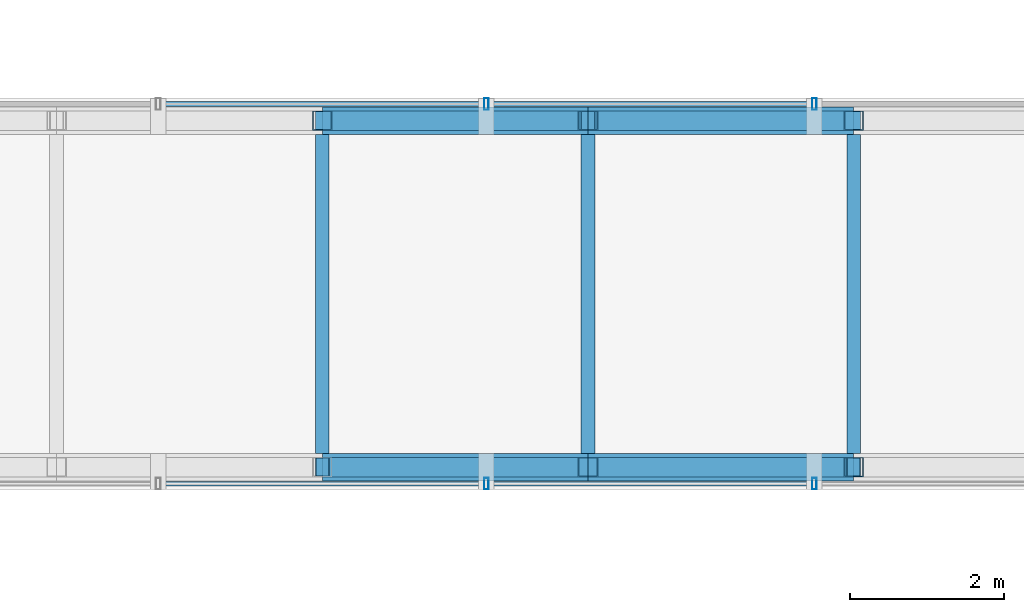
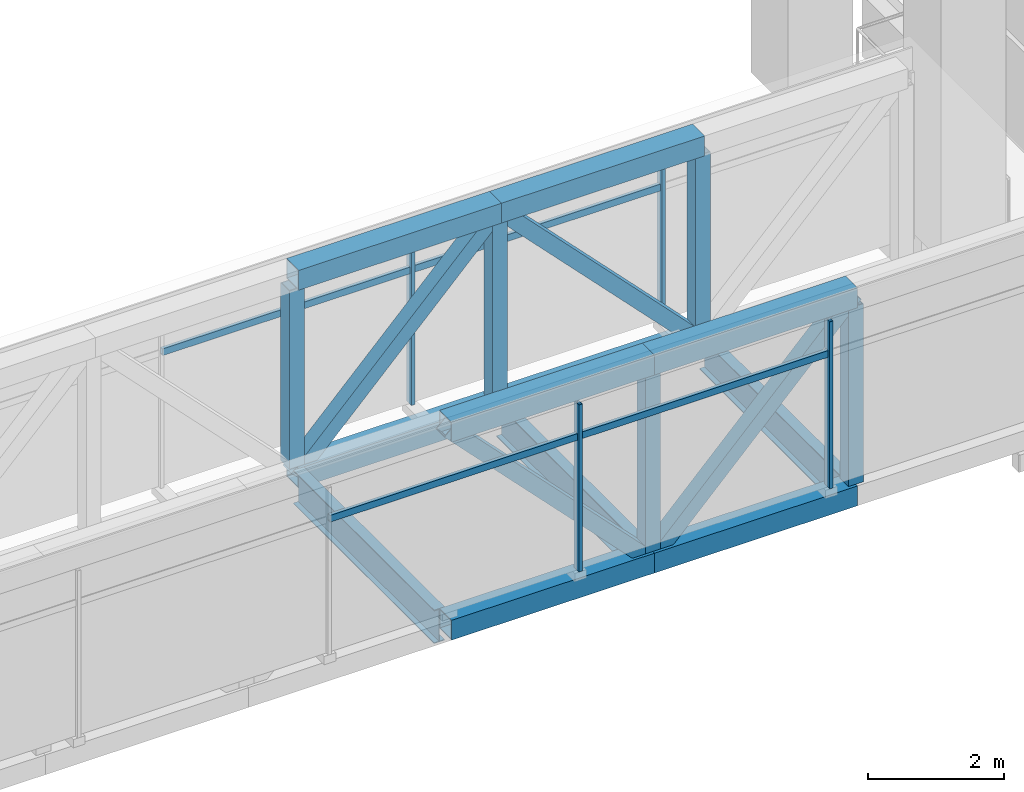
# One storey, part 16 of 44: 25 members, 3 beams, 2 elements without a shape of their own.
"""IFC4 building model written with IfcOpenShell, lengths in metres."""

from ifc_helpers import new_model, si_unit, direction, frame, origin, origin_2d, place, context, subcontext, project, spatial, hollow_rectangle, i_section, extrude, material, material_profile, profile_set, type_object, element, aggregate, save


model = new_model("IFC4")

# Units and contexts
model_context = context("Model", 3, precision=1e-05, world=origin(), true_north=direction((0.0, 1.0)))
body_context = subcontext(model_context, "Body", "Model", "MODEL_VIEW")
ifc_project = project(units=[si_unit("LENGTHUNIT", "METRE"), si_unit("AREAUNIT", "SQUARE_METRE"), si_unit("VOLUMEUNIT", "CUBIC_METRE"), si_unit("PLANEANGLEUNIT", "RADIAN"), si_unit("MASSUNIT", "GRAM", prefix="KILO")], contexts=[model_context])

# Site, building, storey
site_placement = place(None, origin())
site = spatial("IfcSite", under=ifc_project, at=site_placement, CompositionType="ELEMENT")
building_placement = place(site_placement, origin())
building = spatial("IfcBuilding", under=site, at=building_placement, Name="Altepetl Exchange Towers", CompositionType="ELEMENT")
storey_placement = place(building_placement, frame((0.0, 0.0, 87.0)))
storey = spatial("IfcBuildingStorey", under=building, at=storey_placement, Name="L21 Refuge", CompositionType="ELEMENT", Elevation=87.0)

# Members
ifc_material_1 = material(Name="Steel S355", Category="steel")
ifc_material_profile_1 = material_profile(ifc_material_1, hollow_rectangle(XDim=0.35595703125, YDim=0.35595703125, WallThickness=0.014892578125, at=origin_2d()), Name="HSS356X356X15.9")
ifc_profile_set_1 = profile_set([ifc_material_profile_1], Name="Steel S355")
member_type_1 = type_object("IfcMemberType", Name="Bridge chord HSS356X356X15.9", PredefinedType="CHORD", material=ifc_profile_set_1)
for number, where, z_axis, x_axis, name in (
    (1, (83.25, 45.0, -0.3779296875), (1.0, 0.0, 0.0), (0.0, 1.0, 0.0), "tr:X:L21:bc-s3"),
    (2, (83.25, 45.0, 3.177978515625), (1.0, 0.0, 0.0), (0.0, 1.0, 0.0), "tr:X:L21:tc-s3"),
    (3, (86.699951171875, 45.0, -0.3779296875), (1.0, 0.0, 0.0), (0.0, 1.0, 0.0), "tr:X:L21:bc-s4"),
    (4, (86.699951171875, 45.0, 3.177978515625), (1.0, 0.0, 0.0), (0.0, 1.0, 0.0), "tr:X:L21:tc-s4"),
    (5, (83.25, 49.5, -0.3779296875), (1.0, 0.0, 0.0), (0.0, 1.0, 0.0), "tr:X:L21:bc-n3"),
    (6, (83.25, 49.5, 3.177978515625), (1.0, 0.0, 0.0), (0.0, 1.0, 0.0), "tr:X:L21:tc-n3"),
    (7, (86.699951171875, 49.5, -0.3779296875), (1.0, 0.0, 0.0), (0.0, 1.0, 0.0), "tr:X:L21:bc-n4"),
    (8, (86.699951171875, 49.5, 3.177978515625), (1.0, 0.0, 0.0), (0.0, 1.0, 0.0), "tr:X:L21:tc-n4"),
):
    element("IfcMember", number, at=place(storey_placement, frame(where, z_axis=z_axis, x_axis=x_axis)), inside=storey, type_object=member_type_1, Name=name, PredefinedType="CHORD", context=body_context, shape_type="SweptSolid", body=[
        extrude(hollow_rectangle(XDim=0.35595703125, YDim=0.35595703125, WallThickness=0.014892578125, at=origin_2d()), origin(), (0.0, 0.0, 1.0), 3.449951171875),
    ])

# Beams
ifc_material_profile_2 = material_profile(ifc_material_1, i_section(OverallWidth=0.178955078125, OverallDepth=0.60302734375, WebThickness=0.010986328125, FlangeThickness=0.014892578125, at=origin_2d()), Name="W24X62")
ifc_profile_set_2 = profile_set([ifc_material_profile_2], Name="Steel S355")
beam_type = type_object("IfcBeamType", Name="Bridge deck beam W24X62", PredefinedType="BEAM", material=ifc_profile_set_2)
for number, where, z_axis, x_axis, name in (
    (9, (83.25, 45.177978515625, -0.50146484375), (0.0, 1.0, 0.0), (-1.0, 0.0, 0.0), "bm:X:L21:cb3"),
    (10, (86.699951171875, 45.177978515625, -0.50146484375), (0.0, 1.0, 0.0), (-1.0, 0.0, 0.0), "bm:X:L21:cb4"),
    (11, (90.14990234375, 45.177978515625, -0.50146484375), (0.0, 1.0, 0.0), (-1.0, 0.0, 0.0), "bm:X:L21:cb5"),
):
    element("IfcBeam", number, at=place(storey_placement, frame(where, z_axis=z_axis, x_axis=x_axis)), inside=storey, type_object=beam_type, Name=name, PredefinedType="BEAM", context=body_context, shape_type="SweptSolid", body=[
        extrude(i_section(OverallWidth=0.178955078125, OverallDepth=0.60302734375, WebThickness=0.010986328125, FlangeThickness=0.014892578125, at=origin_2d()), origin(), (0.0, 0.0, 1.0), 4.14404296875),
    ])

# Members
ifc_material_profile_3 = material_profile(ifc_material_1, hollow_rectangle(XDim=0.25390625, YDim=0.25390625, WallThickness=0.01171875, at=origin_2d()), Name="HSS254X254X12.7")
ifc_profile_set_3 = profile_set([ifc_material_profile_3], Name="Steel S355")
member_type_2 = type_object("IfcMemberType", Name="Bridge diagonal HSS254X254X12.7", PredefinedType="BRACE", material=ifc_profile_set_3)
for number, where, z_axis, x_axis, name in (
    (12, (83.25, 45.0, 3.177978515625), (0.696332822392, 0.0, -0.717719026123), (0.0, 1.0, 0.0), "tr:X:L21:dg-s3"),
    (13, (86.699951171875, 45.0, -0.3779296875), (0.696332822392, 0.0, 0.717719026123), (0.0, 1.0, 0.0), "tr:X:L21:dg-s4"),
    (14, (83.25, 49.5, -0.3779296875), (0.696332822392, 0.0, 0.717719026123), (0.0, 1.0, 0.0), "tr:X:L21:dg-n3"),
    (15, (86.699951171875, 49.5, 3.177978515625), (0.696332822392, 0.0, -0.717719026123), (0.0, 1.0, 0.0), "tr:X:L21:dg-n4"),
):
    element("IfcMember", number, at=place(storey_placement, frame(where, z_axis=z_axis, x_axis=x_axis)), inside=storey, type_object=member_type_2, Name=name, PredefinedType="BRACE", context=body_context, shape_type="SweptSolid", body=[
        extrude(hollow_rectangle(XDim=0.25390625, YDim=0.25390625, WallThickness=0.01171875, at=origin_2d()), origin(), (0.0, 0.0, 1.0), 4.954345703125),
    ])
ifc_material_profile_4 = material_profile(ifc_material_1, hollow_rectangle(XDim=0.25390625, YDim=0.25390625, WallThickness=0.01171875, at=origin_2d()), Name="HSS254X254X12.7")
ifc_profile_set_4 = profile_set([ifc_material_profile_4], Name="Steel S355")
member_type_3 = type_object("IfcMemberType", Name="Bridge post HSS254X254X12.7", PredefinedType="POST", material=ifc_profile_set_4)
for number, where, name in (
    (16, (86.699951171875, 45.0, -0.199951171875), "tr:X:L21:ps-s4"),
    (17, (90.14990234375, 45.0, -0.199951171875), "tr:X:L21:ps-s5"),
    (18, (83.25, 49.5, -0.199951171875), "tr:X:L21:ps-n3"),
    (19, (86.699951171875, 49.5, -0.199951171875), "tr:X:L21:ps-n4"),
    (20, (90.14990234375, 49.5, -0.199951171875), "tr:X:L21:ps-n5"),
):
    element("IfcMember", number, at=place(storey_placement, frame(where)), inside=storey, type_object=member_type_3, Name=name, PredefinedType="POST", context=body_context, shape_type="SweptSolid", body=[
        extrude(hollow_rectangle(XDim=0.25390625, YDim=0.25390625, WallThickness=0.01171875, at=origin_2d()), origin(), (0.0, 0.0, 1.0), 3.199951171875),
    ])

# Curtain wall, members
ifc_material_2 = material(Name="Aluminium 6063-T6 glazing", Category="aluminium")
curtain_wall_type = type_object("IfcCurtainWallType", Name="Bridge enclosure system", PredefinedType="NOTDEFINED", material=ifc_material_2)
curtain_wall_1_placement = place(storey_placement, origin())
curtain_wall_1 = element("IfcCurtainWall", 21, at=curtain_wall_1_placement, inside=storey, type_object=curtain_wall_type, Name="CW6 run", PredefinedType="NOTDEFINED")
ifc_material_3 = material(Name="Aluminium 6063-T6", Category="aluminium")
ifc_material_profile_5 = material_profile(ifc_material_3, hollow_rectangle(XDim=0.06005859375, YDim=0.14990234375, WallThickness=0.0029296875, at=origin_2d()), Name="Mullion 60x150 aluminium")
ifc_profile_set_5 = profile_set([ifc_material_profile_5], Name="Aluminium 6063-T6")
member_type_4 = type_object("IfcMemberType", Name="Mullion 60x150 aluminium", PredefinedType="MULLION", material=ifc_profile_set_5)
member_1_placement = place(storey_placement, frame((85.3798828125, 44.784912109375, 0.0)))
member_1 = element("IfcMember", 22, at=member_1_placement, type_object=member_type_4, Name="MU1 mullion", PredefinedType="MULLION", context=body_context, shape_type="SweptSolid", body=[
    extrude(hollow_rectangle(XDim=0.06005859375, YDim=0.14990234375, WallThickness=0.0029296875, at=origin_2d()), origin(), (0.0, 0.0, 1.0), 3.0),
])
member_2_placement = place(storey_placement, frame((89.639892578125, 44.784912109375, 0.0)))
member_2 = element("IfcMember", 23, at=member_2_placement, type_object=member_type_4, Name="MU1 mullion", PredefinedType="MULLION", context=body_context, shape_type="SweptSolid", body=[
    extrude(hollow_rectangle(XDim=0.06005859375, YDim=0.14990234375, WallThickness=0.0029296875, at=origin_2d()), origin(), (0.0, 0.0, 1.0), 3.0),
])

curtain_wall_2_placement = place(storey_placement, origin())
curtain_wall_2 = element("IfcCurtainWall", 24, at=curtain_wall_2_placement, inside=storey, type_object=curtain_wall_type, Name="CW6 run", PredefinedType="NOTDEFINED")
member_3_placement = place(storey_placement, frame((85.3798828125, 49.715087890625, 0.0)))
member_3 = element("IfcMember", 25, at=member_3_placement, type_object=member_type_4, Name="MU1 mullion", PredefinedType="MULLION", context=body_context, shape_type="SweptSolid", body=[
    extrude(hollow_rectangle(XDim=0.06005859375, YDim=0.14990234375, WallThickness=0.0029296875, at=origin_2d()), origin(), (0.0, 0.0, 1.0), 3.0),
])
member_4_placement = place(storey_placement, frame((89.639892578125, 49.715087890625, 0.0)))
member_4 = element("IfcMember", 26, at=member_4_placement, type_object=member_type_4, Name="MU1 mullion", PredefinedType="MULLION", context=body_context, shape_type="SweptSolid", body=[
    extrude(hollow_rectangle(XDim=0.06005859375, YDim=0.14990234375, WallThickness=0.0029296875, at=origin_2d()), origin(), (0.0, 0.0, 1.0), 3.0),
])

# Member
ifc_material_profile_6 = material_profile(ifc_material_3, hollow_rectangle(XDim=0.06005859375, YDim=0.1201171875, WallThickness=0.0029296875, at=origin_2d()), Name="Transom 60x120 aluminium")
ifc_profile_set_6 = profile_set([ifc_material_profile_6], Name="Aluminium 6063-T6")
member_type_5 = type_object("IfcMemberType", Name="Transom 60x120 aluminium", PredefinedType="USERDEFINED", material=ifc_profile_set_6)
member_5_placement = place(storey_placement, frame((81.14990234375, 44.784912109375, 2.39990234375), z_axis=(1.0, 0.0, 0.0), x_axis=(0.0, 1.0, 0.0)))
member_5 = element("IfcMember", 27, at=member_5_placement, type_object=member_type_5, Name="TR1 transom", ObjectType="TRANSOM", PredefinedType="USERDEFINED", context=body_context, shape_type="SweptSolid", body=[
    extrude(hollow_rectangle(XDim=0.06005859375, YDim=0.1201171875, WallThickness=0.0029296875, at=origin_2d()), origin(), (0.0, 0.0, 1.0), 4.2001953125),
])

member_6_placement = place(storey_placement, frame((85.409912109375, 44.784912109375, 2.39990234375), z_axis=(1.0, 0.0, 0.0), x_axis=(0.0, 1.0, 0.0)))
member_6 = element("IfcMember", 28, at=member_6_placement, type_object=member_type_5, Name="TR1 transom", ObjectType="TRANSOM", PredefinedType="USERDEFINED", context=body_context, shape_type="SweptSolid", body=[
    extrude(hollow_rectangle(XDim=0.06005859375, YDim=0.1201171875, WallThickness=0.0029296875, at=origin_2d()), origin(), (0.0, 0.0, 1.0), 4.2001953125),
])

aggregate(curtain_wall_1, [member_1, member_2, member_5, member_6])

member_7_placement = place(storey_placement, frame((81.14990234375, 49.715087890625, 2.39990234375), z_axis=(1.0, 0.0, 0.0), x_axis=(0.0, 1.0, 0.0)))
member_7 = element("IfcMember", 29, at=member_7_placement, type_object=member_type_5, Name="TR1 transom", ObjectType="TRANSOM", PredefinedType="USERDEFINED", context=body_context, shape_type="SweptSolid", body=[
    extrude(hollow_rectangle(XDim=0.06005859375, YDim=0.1201171875, WallThickness=0.0029296875, at=origin_2d()), origin(), (0.0, 0.0, 1.0), 4.2001953125),
])

member_8_placement = place(storey_placement, frame((85.409912109375, 49.715087890625, 2.39990234375), z_axis=(1.0, 0.0, 0.0), x_axis=(0.0, 1.0, 0.0)))
member_8 = element("IfcMember", 30, at=member_8_placement, type_object=member_type_5, Name="TR1 transom", ObjectType="TRANSOM", PredefinedType="USERDEFINED", context=body_context, shape_type="SweptSolid", body=[
    extrude(hollow_rectangle(XDim=0.06005859375, YDim=0.1201171875, WallThickness=0.0029296875, at=origin_2d()), origin(), (0.0, 0.0, 1.0), 4.2001953125),
])

aggregate(curtain_wall_2, [member_3, member_4, member_7, member_8])

save(model, "model.ifc")
